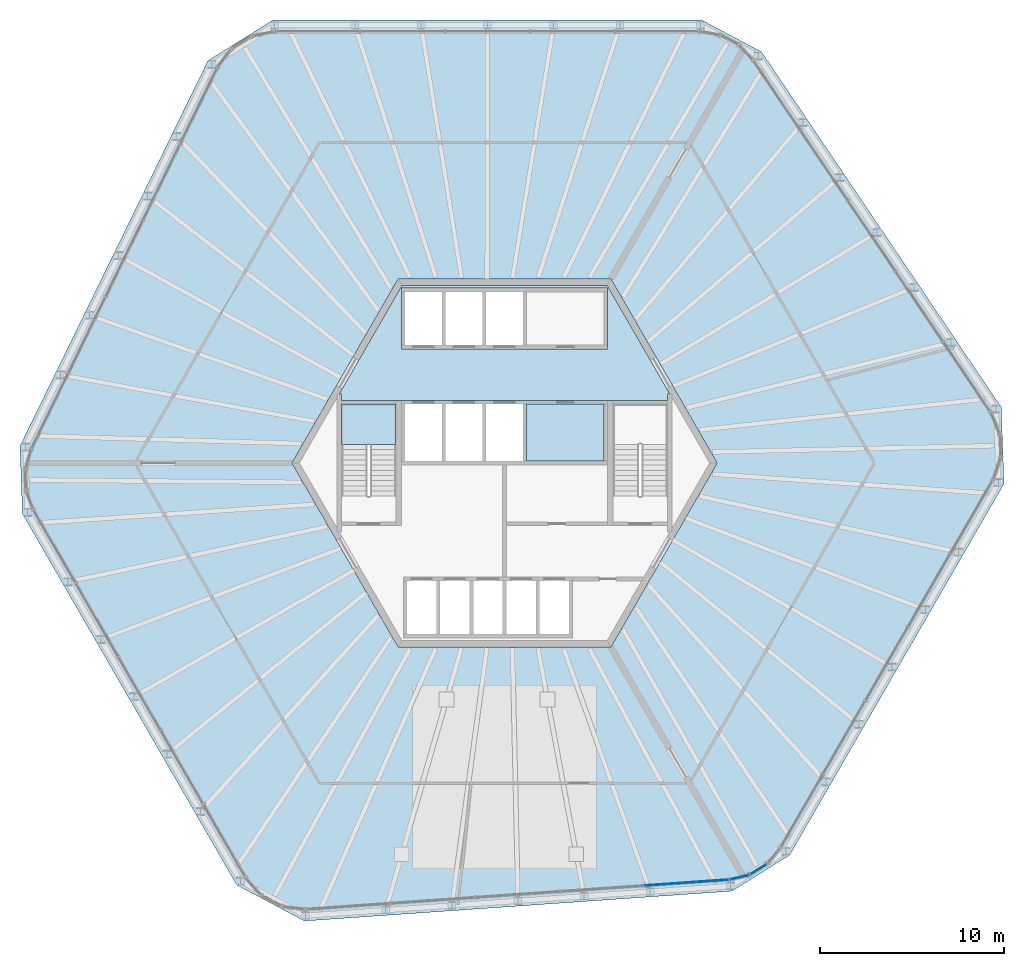
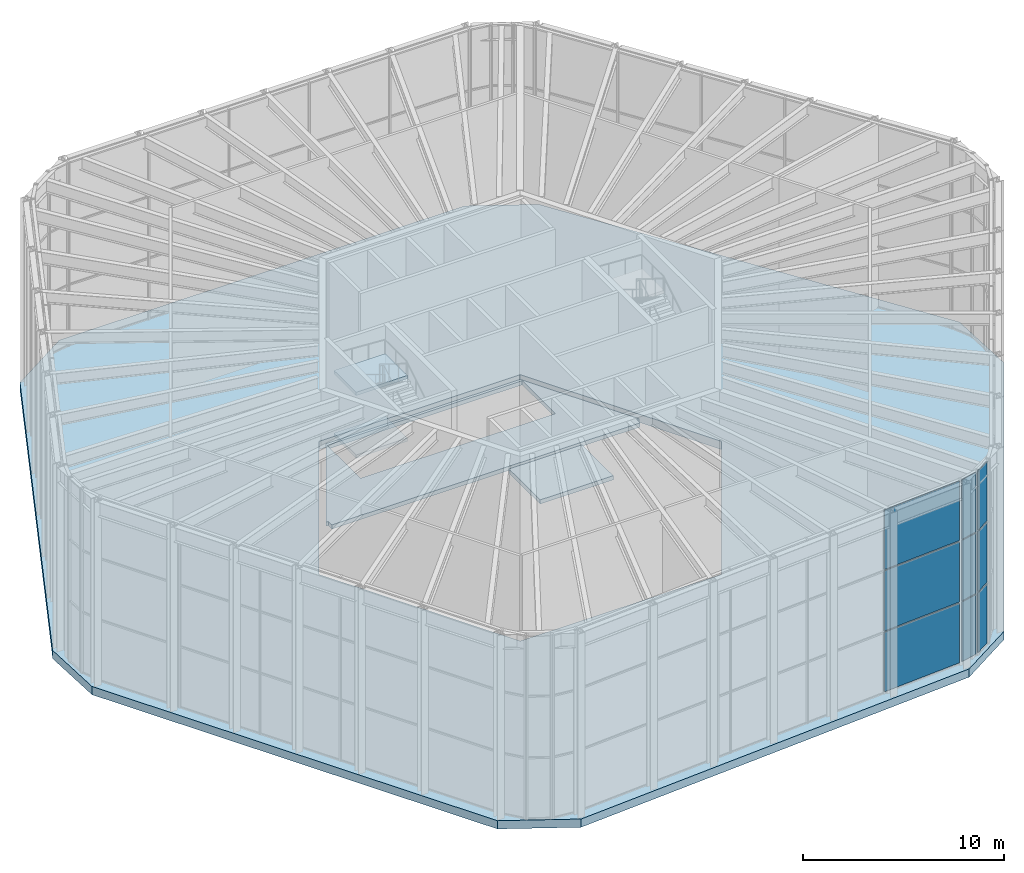
# One storey, part 11 of 17: 9 plates, 5 slabs, 4 elements without a shape of their own.
"""IFC4 building model written with IfcOpenShell, lengths in metres."""

from ifc_helpers import new_model, si_unit, direction, frame, origin, origin_2d, place, context, subcontext, project, spatial, polyline, rectangle, outline, extrude, material, layer, layer_set, type_object, element, aggregate, save


model = new_model("IFC4")

# Units and contexts
model_context = context("Model", 3, precision=1e-05, world=origin(), true_north=direction((0.0, 1.0)))
body_context = subcontext(model_context, "Body", "Model", "MODEL_VIEW")
ifc_project = project(units=[si_unit("LENGTHUNIT", "METRE"), si_unit("AREAUNIT", "SQUARE_METRE"), si_unit("VOLUMEUNIT", "CUBIC_METRE"), si_unit("PLANEANGLEUNIT", "RADIAN"), si_unit("MASSUNIT", "GRAM", prefix="KILO")], contexts=[model_context])

# Site, building, storey
site_placement = place(None, origin())
site = spatial("IfcSite", under=ifc_project, at=site_placement, CompositionType="ELEMENT")
building_placement = place(site_placement, origin())
building = spatial("IfcBuilding", under=site, at=building_placement, Name="Tarnside Tower", CompositionType="ELEMENT")
storey_placement = place(building_placement, frame((0.0, 0.0, 376.800048828125)))
storey = spatial("IfcBuildingStorey", under=building, at=storey_placement, Name="L91", CompositionType="ELEMENT", Elevation=376.800048828125)

# Slabs
ifc_material_1 = material(Name="Concrete C35/45", Category="concrete")
ifc_layer_1 = layer(ifc_material_1, 0.5)
ifc_layer_set_1 = layer_set([ifc_layer_1], Name="Composite floor slab 500")
slab_type_1 = type_object("IfcSlabType", Name="Composite floor slab 500", PredefinedType="FLOOR", material=ifc_layer_set_1)
slab_1_placement = place(storey_placement, frame((0.0, 0.0, -0.5)))
element("IfcSlab", 1, at=slab_1_placement, inside=storey, type_object=slab_type_1, Name="Floor slab L91", PredefinedType="FLOOR", context=body_context, shape_type="SweptSolid", body=[
    extrude(outline(polyline([(13.960205078125, 22.3291015625), (16.44140625, 18.65087890625), (20.467529296875, 12.681884765625), (22.480712890625, 9.697265625), (24.49365234375, 6.712890625), (26.980712890625, 3.025634765625), (27.126220703125, -1.13623046875), (24.90234375, -4.98779296875), (23.102294921875, -8.10546875), (21.30224609375, -11.22314453125), (19.502197265625, -14.3408203125), (17.702392578125, -17.45849609375), (15.48388671875, -21.301025390625), (12.357421875, -23.254638671875), (7.931396484375, -23.564208984375), (4.34033203125, -23.815185546875), (0.7490234375, -24.06640625), (-2.84228515625, -24.3173828125), (-6.433349609375, -24.568603515625), (-10.8701171875, -24.87890625), (-14.547119140625, -22.923828125), (-16.770751953125, -19.072265625), (-18.57080078125, -15.95458984375), (-20.37060546875, -12.8369140625), (-22.170654296875, -9.718994140625), (-23.970703125, -6.601318359375), (-26.189208984375, -2.759033203125), (-26.31787109375, 0.92529296875), (-24.372802734375, 4.9130859375), (-22.794677734375, 8.148681640625), (-21.216552734375, 11.384521484375), (-19.638427734375, 14.6201171875), (-18.060302734375, 17.855712890625), (-16.110595703125, 21.853271484375), (-12.5791015625, 24.06005859375), (10.705078125, 24.06005859375), (13.960205078125, 22.3291015625)]), holes=[polyline([(-11.547119140625, 0.0), (-5.7734375, -10.0), (5.7734375, -10.0), (11.547119140625, 0.0), (5.7734375, 10.0), (-5.7734375, 10.0), (-11.547119140625, 0.0)])]), origin(), (0.0, 0.0, 1.0), 0.5),
])
ifc_material_2 = material(Name="Concrete C40/50", Category="concrete")
ifc_layer_2 = layer(ifc_material_2, 0.25)
ifc_layer_set_2 = layer_set([ifc_layer_2], Name="Core slab C40/50")
slab_type_2 = type_object("IfcSlabType", Name="Core slab C40/50", PredefinedType="FLOOR", material=ifc_layer_set_2)
slab_2_placement = place(storey_placement, frame((0.0, 0.0, -0.25)))
element("IfcSlab", 2, at=slab_2_placement, inside=storey, type_object=slab_type_2, Name="L91 core floor slab 1", PredefinedType="FLOOR", context=body_context, shape_type="SweptSolid", body=[
    extrude(outline(polyline([(5.5712890625, 9.64990234375), (8.97509765625, 3.7548828125), (8.85009765625, 3.7548828125), (8.85009765625, 3.39990234375), (5.89990234375, 3.39990234375), (5.60009765625, 3.39990234375), (-5.60009765625, 3.39990234375), (-5.89990234375, 3.39990234375), (-8.85009765625, 3.39990234375), (-8.85009765625, 3.7548828125), (-8.97509765625, 3.7548828125), (-5.5712890625, 9.64990234375), (5.5712890625, 9.64990234375)]), holes=[polyline([(-5.60009765625, 6.199951171875), (5.60009765625, 6.199951171875), (5.60009765625, 6.39990234375), (5.60009765625, 9.300048828125), (5.60009765625, 9.5), (-5.60009765625, 9.5), (-5.60009765625, 9.300048828125), (-5.60009765625, 6.39990234375), (-5.60009765625, 6.199951171875)])]), origin(), (0.0, 0.0, 1.0), 0.25),
])
slab_3_placement = place(storey_placement, frame((0.0, 0.0, -0.25)))
element("IfcSlab", 3, at=slab_3_placement, inside=storey, type_object=slab_type_2, Name="L91 core floor slab 6", PredefinedType="FLOOR", context=body_context, shape_type="SweptSolid", body=[
    extrude(outline(polyline([(1.199951171875, 3.199951171875), (5.39990234375, 3.199951171875), (5.39990234375, 0.10009765625), (1.199951171875, 0.10009765625), (1.199951171875, 3.199951171875)])), origin(), (0.0, 0.0, 1.0), 0.25),
])

# Curtain wall, plates
ifc_material_3 = material(Name="Damper hall glazing wall", Category="glass")
curtain_wall_type = type_object("IfcCurtainWallType", Name="Damper hall glazing wall", PredefinedType="NOTDEFINED", material=ifc_material_3)
curtain_wall_1_placement = place(storey_placement, origin())
curtain_wall_1 = element("IfcCurtainWall", 4, at=curtain_wall_1_placement, inside=storey, type_object=curtain_wall_type, Name="Damper hall glazing L91 10", PredefinedType="NOTDEFINED")
ifc_material_4 = material(Name="Low-iron safety glass", Category="glass")
ifc_layer_3 = layer(ifc_material_4, 0.0400390625)
ifc_layer_set_3 = layer_set([ifc_layer_3], Name="Damper hall glazing panel 40")
plate_type = type_object("IfcPlateType", Name="Damper hall glazing panel 40", PredefinedType="CURTAIN_PANEL", material=ifc_layer_set_3)
plate_1_placement = place(storey_placement, frame((13.79443359375, -22.075927734375, 0.080078125), z_axis=(0.0, 0.0, 1.0), x_axis=(-0.848048096489, -0.5299192637, 0.0)))
plate_1 = element("IfcPlate", 5, at=plate_1_placement, type_object=plate_type, Name="CW5 panel 1.1", PredefinedType="CURTAIN_PANEL", context=body_context, shape_type="SweptSolid", body=[
    extrude(rectangle(XDim=0.950927734375, YDim=0.0400390625, at=origin_2d()), origin(), (0.0, 0.0, 1.0), 3.61328125),
])
plate_2_placement = place(storey_placement, frame((13.79443359375, -22.075927734375, 3.773193359375), z_axis=(0.0, 0.0, 1.0), x_axis=(-0.848048096489, -0.5299192637, 0.0)))
plate_2 = element("IfcPlate", 6, at=plate_2_placement, type_object=plate_type, Name="CW5 panel 1.2", PredefinedType="CURTAIN_PANEL", context=body_context, shape_type="SweptSolid", body=[
    extrude(rectangle(XDim=0.950927734375, YDim=0.0400390625, at=origin_2d()), origin(), (0.0, 0.0, 1.0), 3.6533203125),
])
plate_3_placement = place(storey_placement, frame((13.79443359375, -22.075927734375, 7.506591796875), z_axis=(0.0, 0.0, 1.0), x_axis=(-0.848048096489, -0.5299192637, 0.0)))
plate_3 = element("IfcPlate", 7, at=plate_3_placement, type_object=plate_type, Name="CW5 panel 1.3", PredefinedType="CURTAIN_PANEL", context=body_context, shape_type="SweptSolid", body=[
    extrude(rectangle(XDim=0.950927734375, YDim=0.0400390625, at=origin_2d()), origin(), (0.0, 0.0, 1.0), 3.61328125),
])
aggregate(curtain_wall_1, [plate_1, plate_2, plate_3])

curtain_wall_2_placement = place(storey_placement, origin())
curtain_wall_2 = element("IfcCurtainWall", 8, at=curtain_wall_2_placement, inside=storey, type_object=curtain_wall_type, Name="Damper hall glazing L91 11", PredefinedType="NOTDEFINED")
plate_4_placement = place(storey_placement, frame((12.76904296875, -22.501708984375, 0.080078125), z_axis=(0.0, 0.0, 1.0), x_axis=(-0.973044870557, -0.230615870839, 0.0)))
plate_4 = element("IfcPlate", 9, at=plate_4_placement, type_object=plate_type, Name="CW5 panel 1.1", PredefinedType="CURTAIN_PANEL", context=body_context, shape_type="SweptSolid", body=[
    extrude(rectangle(XDim=0.9794921875, YDim=0.0400390625, at=origin_2d()), origin(), (0.0, 0.0, 1.0), 3.61328125),
])
plate_5_placement = place(storey_placement, frame((12.76904296875, -22.501708984375, 3.773193359375), z_axis=(0.0, 0.0, 1.0), x_axis=(-0.973044870557, -0.230615870839, 0.0)))
plate_5 = element("IfcPlate", 10, at=plate_5_placement, type_object=plate_type, Name="CW5 panel 1.2", PredefinedType="CURTAIN_PANEL", context=body_context, shape_type="SweptSolid", body=[
    extrude(rectangle(XDim=0.9794921875, YDim=0.0400390625, at=origin_2d()), origin(), (0.0, 0.0, 1.0), 3.6533203125),
])
plate_6_placement = place(storey_placement, frame((12.76904296875, -22.501708984375, 7.506591796875), z_axis=(0.0, 0.0, 1.0), x_axis=(-0.973044870557, -0.230615870839, 0.0)))
plate_6 = element("IfcPlate", 11, at=plate_6_placement, type_object=plate_type, Name="CW5 panel 1.3", PredefinedType="CURTAIN_PANEL", context=body_context, shape_type="SweptSolid", body=[
    extrude(rectangle(XDim=0.9794921875, YDim=0.0400390625, at=origin_2d()), origin(), (0.0, 0.0, 1.0), 3.61328125),
])
aggregate(curtain_wall_2, [plate_4, plate_5, plate_6])

curtain_wall_3_placement = place(storey_placement, origin())
curtain_wall_3 = element("IfcCurtainWall", 12, at=curtain_wall_3_placement, inside=storey, type_object=curtain_wall_type, Name="Damper hall glazing L91 12", PredefinedType="NOTDEFINED")
plate_7_placement = place(storey_placement, frame((9.89306640625, -22.79541015625, 0.080078125), z_axis=(0.0, 0.0, 1.0), x_axis=(-0.99756405026, -0.069756473744, 0.0)))
plate_7 = element("IfcPlate", 13, at=plate_7_placement, type_object=plate_type, Name="CW5 panel 1.1", PredefinedType="CURTAIN_PANEL", context=body_context, shape_type="SweptSolid", body=[
    extrude(rectangle(XDim=4.494140625, YDim=0.0400390625, at=origin_2d()), origin(), (0.0, 0.0, 1.0), 3.61328125),
])
plate_8_placement = place(storey_placement, frame((9.89306640625, -22.79541015625, 3.773193359375), z_axis=(0.0, 0.0, 1.0), x_axis=(-0.99756405026, -0.069756473744, 0.0)))
plate_8 = element("IfcPlate", 14, at=plate_8_placement, type_object=plate_type, Name="CW5 panel 1.2", PredefinedType="CURTAIN_PANEL", context=body_context, shape_type="SweptSolid", body=[
    extrude(rectangle(XDim=4.494140625, YDim=0.0400390625, at=origin_2d()), origin(), (0.0, 0.0, 1.0), 3.6533203125),
])
plate_9_placement = place(storey_placement, frame((9.89306640625, -22.79541015625, 7.506591796875), z_axis=(0.0, 0.0, 1.0), x_axis=(-0.99756405026, -0.069756473744, 0.0)))
plate_9 = element("IfcPlate", 15, at=plate_9_placement, type_object=plate_type, Name="CW5 panel 1.3", PredefinedType="CURTAIN_PANEL", context=body_context, shape_type="SweptSolid", body=[
    extrude(rectangle(XDim=4.494140625, YDim=0.0400390625, at=origin_2d()), origin(), (0.0, 0.0, 1.0), 3.61328125),
])
aggregate(curtain_wall_3, [plate_7, plate_8, plate_9])

# Stair, slabs
stair_type = type_object("IfcStairType", Name="Exit stair 1400 clear", PredefinedType="HALF_TURN_STAIR", material=ifc_material_2)
stair_placement = place(storey_placement, origin())
stair = element("IfcStair", 16, at=stair_placement, inside=storey, type_object=stair_type, Name="L91 Exit stair 2", PredefinedType="HALF_TURN_STAIR")
ifc_layer_4 = layer(ifc_material_2, 0.199951171875)
ifc_layer_set_4 = layer_set([ifc_layer_4], Name="Stair landing 200 C40/50")
slab_type_3 = type_object("IfcSlabType", Name="Stair landing 200 C40/50", PredefinedType="LANDING", material=ifc_layer_set_4)
slab_4_placement = place(storey_placement, frame((0.0, 0.0, 5.5)))
slab_4 = element("IfcSlab", 17, at=slab_4_placement, type_object=slab_type_3, Name="ST2 landing 3", PredefinedType="LANDING", context=body_context, shape_type="SweptSolid", body=[
    extrude(outline(polyline([(-5.89990234375, 1.0), (-5.89990234375, 3.199951171875), (-8.85009765625, 3.199951171875), (-8.85009765625, 1.0), (-5.89990234375, 1.0)])), origin(), (0.0, 0.0, 1.0), 0.199951171875),
])
slab_5_placement = place(storey_placement, frame((0.0, 0.0, 9.300048828125)))
slab_5 = element("IfcSlab", 18, at=slab_5_placement, type_object=slab_type_3, Name="ST2 landing 5", PredefinedType="LANDING", context=body_context, shape_type="SweptSolid", body=[
    extrude(outline(polyline([(-5.89990234375, 1.0), (-5.89990234375, 3.199951171875), (-8.85009765625, 3.199951171875), (-8.85009765625, 1.0), (-5.89990234375, 1.0)])), origin(), (0.0, 0.0, 1.0), 0.199951171875),
])
aggregate(stair, [slab_4, slab_5])

save(model, "model.ifc")
